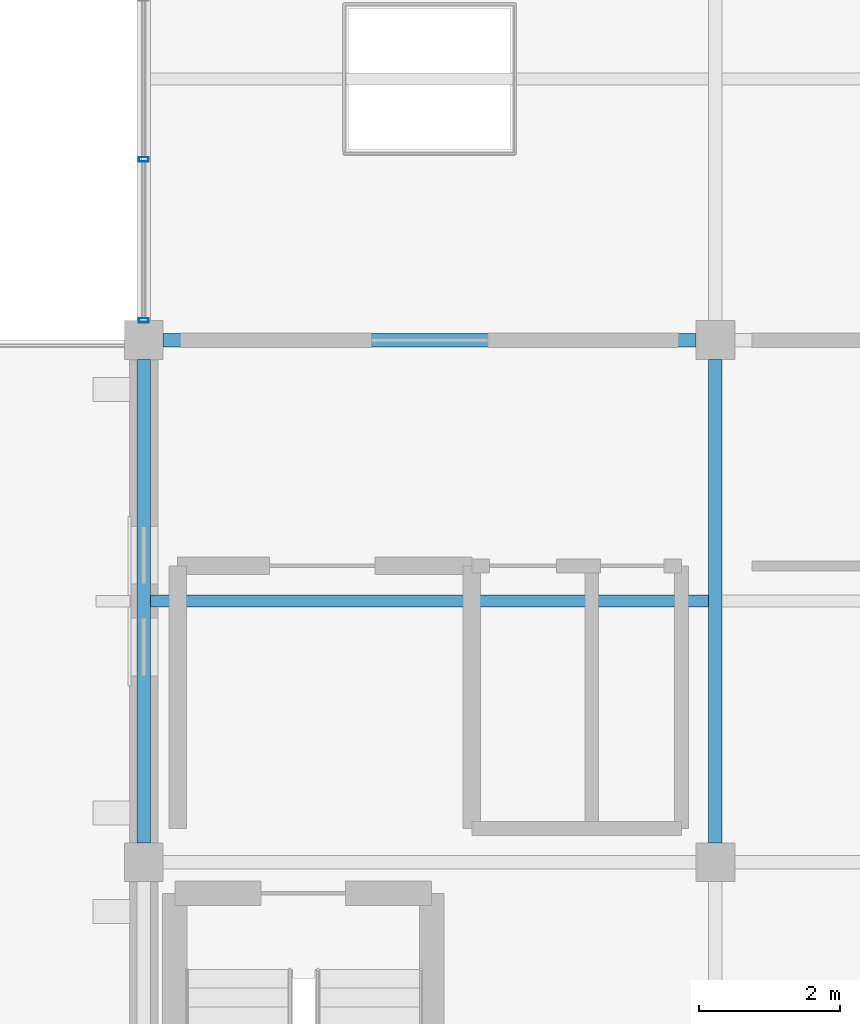
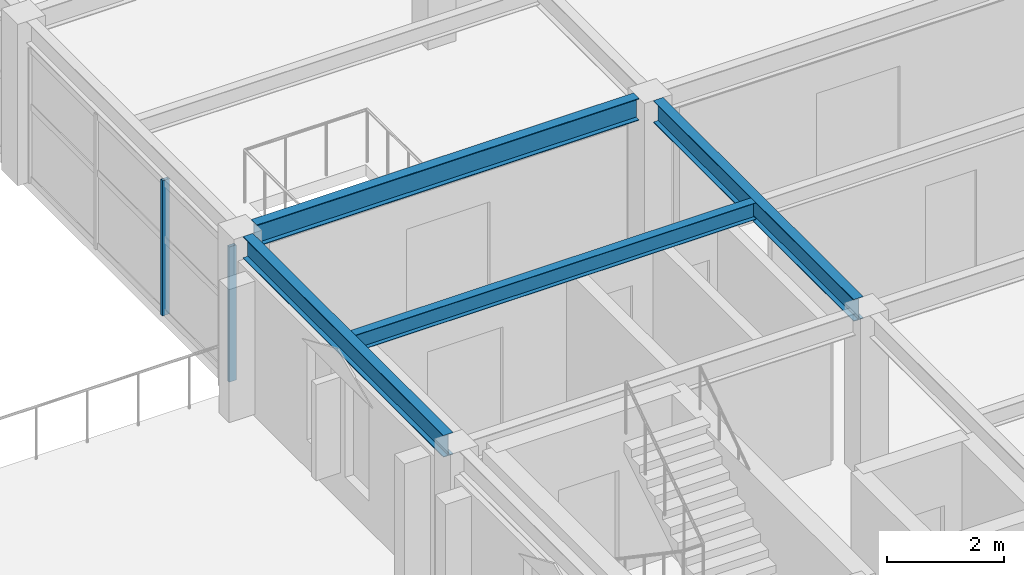
# One storey, part 31 of 121: 4 beams, 2 members, 1 element without a shape of its own.
"""IFC4 building model written with IfcOpenShell, lengths in metres."""

from ifc_helpers import new_model, si_unit, direction, frame, origin, origin_2d, place, context, subcontext, project, spatial, hollow_rectangle, i_section, extrude, material, material_profile, profile_set, type_object, element, aggregate, save


model = new_model("IFC4")

# Units and contexts
model_context = context("Model", 3, precision=1e-05, world=origin(), true_north=direction((0.0, 1.0)))
body_context = subcontext(model_context, "Body", "Model", "MODEL_VIEW")
ifc_project = project(units=[si_unit("LENGTHUNIT", "METRE"), si_unit("AREAUNIT", "SQUARE_METRE"), si_unit("VOLUMEUNIT", "CUBIC_METRE"), si_unit("PLANEANGLEUNIT", "RADIAN"), si_unit("MASSUNIT", "GRAM", prefix="KILO")], contexts=[model_context])

# Site, building, storey
site_placement = place(None, origin())
site = spatial("IfcSite", under=ifc_project, at=site_placement, CompositionType="ELEMENT")
building_placement = place(site_placement, origin())
building = spatial("IfcBuilding", under=site, at=building_placement, Name="Cimatlan Art Gallery", CompositionType="ELEMENT")
storey_placement = place(building_placement, frame((0.0, 0.0, 10.199951171875)))
storey = spatial("IfcBuildingStorey", under=building, at=storey_placement, Name="L02", CompositionType="ELEMENT", Elevation=10.199951171875)

# Beams
ifc_material_1 = material(Name="Steel ASTM A992 Grade 50", Category="steel")
ifc_material_profile_1 = material_profile(ifc_material_1, i_section(OverallWidth=0.1708984375, OverallDepth=0.35107421875, WebThickness=0.0068359375, FlangeThickness=0.009765625, at=origin_2d()), Name="W14X30")
ifc_profile_set_1 = profile_set([ifc_material_profile_1], Name="Steel ASTM A992 Grade 50")
beam_type_1 = type_object("IfcBeamType", Name="BM-STL-W14X30", PredefinedType="JOIST", material=ifc_profile_set_1)
beam_1_placement = place(storey_placement, frame((115.49560546875, 35.0, 3.194580078125), z_axis=(1.0, 0.0, 0.0), x_axis=(0.0, 1.0, 0.0)))
element("IfcBeam", 1, at=beam_1_placement, inside=storey, type_object=beam_type_1, Name="JST-L02-14-04", PredefinedType="JOIST", context=body_context, shape_type="SweptSolid", body=[
    extrude(i_section(OverallWidth=0.1708984375, OverallDepth=0.35107421875, WebThickness=0.0068359375, FlangeThickness=0.009765625, at=origin_2d()), origin(), (0.0, 0.0, 1.0), 7.908935546875),
])
ifc_material_profile_2 = material_profile(ifc_material_1, i_section(OverallWidth=0.19091796875, OverallDepth=0.45703125, WebThickness=0.009033203125, FlangeThickness=0.014404296875, at=origin_2d()), Name="W18X50")
ifc_profile_set_2 = profile_set([ifc_material_profile_2], Name="Steel ASTM A992 Grade 50")
beam_type_2 = type_object("IfcBeamType", Name="BM-STL-W18X50", PredefinedType="BEAM", material=ifc_profile_set_2)
for number, where, z_axis, x_axis, name in (
    (2, (115.39990234375, 31.574951171875, 3.1416015625), (0.0, 1.0, 0.0), (-1.0, 0.0, 0.0), "BM-Y-L02-14-04"),
    (3, (123.5, 31.574951171875, 3.1416015625), (0.0, 1.0, 0.0), (-1.0, 0.0, 0.0), "BM-Y-L02-15-04"),
):
    element("IfcBeam", number, at=place(storey_placement, frame(where, z_axis=z_axis, x_axis=x_axis)), inside=storey, type_object=beam_type_2, Name=name, PredefinedType="BEAM", context=body_context, shape_type="SweptSolid", body=[
        extrude(i_section(OverallWidth=0.19091796875, OverallDepth=0.45703125, WebThickness=0.009033203125, FlangeThickness=0.014404296875, at=origin_2d()), origin(), (0.0, 0.0, 1.0), 6.85009765625),
    ])
beam_2_placement = place(storey_placement, frame((115.675048828125, 38.699951171875, 3.1416015625), z_axis=(1.0, 0.0, 0.0), x_axis=(0.0, 1.0, 0.0)))
element("IfcBeam", 4, at=beam_2_placement, inside=storey, type_object=beam_type_2, Name="BM-X-L02-14-05", PredefinedType="BEAM", context=body_context, shape_type="SweptSolid", body=[
    extrude(i_section(OverallWidth=0.19091796875, OverallDepth=0.45703125, WebThickness=0.009033203125, FlangeThickness=0.014404296875, at=origin_2d()), origin(), (0.0, 0.0, 1.0), 7.550048828125),
])

# Curtain wall, members
ifc_material_2 = material(Name="Anodised bronze unitised curtain wall")
curtain_wall_type = type_object("IfcCurtainWallType", Name="CW-V-06842X02823-B3", PredefinedType="NOTDEFINED", material=ifc_material_2)
curtain_wall_placement = place(storey_placement, origin())
curtain_wall = element("IfcCurtainWall", 5, at=curtain_wall_placement, inside=storey, type_object=curtain_wall_type, Name="CW-L02-14-05-W", PredefinedType="NOTDEFINED")
ifc_material_3 = material(Name="Anodised bronze aluminium 6063-T6", Category="aluminium")
ifc_material_profile_3 = material_profile(ifc_material_3, hollow_rectangle(XDim=0.06494140625, YDim=0.139892578125, WallThickness=0.00390625, at=origin_2d()), Name="ALU65X140X4")
ifc_profile_set_3 = profile_set([ifc_material_profile_3], Name="Anodised bronze aluminium 6063-T6")
member_type = type_object("IfcMemberType", Name="CW-MUL-140", PredefinedType="MULLION", material=ifc_profile_set_3)
member_1_placement = place(storey_placement, frame((115.39990234375, 38.97900390625, 0.0), z_axis=(0.0, 0.0, 1.0), x_axis=(0.0, 1.0, 0.0)))
member_1 = element("IfcMember", 6, at=member_1_placement, type_object=member_type, Name="CW-L02-14-05-W-M1", PredefinedType="MULLION", context=body_context, shape_type="SweptSolid", body=[
    extrude(hollow_rectangle(XDim=0.06494140625, YDim=0.139892578125, WallThickness=0.00390625, at=origin_2d()), origin(), (0.0, 0.0, 1.0), 2.822998046875),
])
member_2_placement = place(storey_placement, frame((115.39990234375, 41.259765625, 0.0), z_axis=(0.0, 0.0, 1.0), x_axis=(0.0, 1.0, 0.0)))
member_2 = element("IfcMember", 7, at=member_2_placement, type_object=member_type, Name="CW-L02-14-05-W-M2", PredefinedType="MULLION", context=body_context, shape_type="SweptSolid", body=[
    extrude(hollow_rectangle(XDim=0.06494140625, YDim=0.139892578125, WallThickness=0.00390625, at=origin_2d()), origin(), (0.0, 0.0, 1.0), 2.822998046875),
])
aggregate(curtain_wall, [member_1, member_2])

save(model, "model.ifc")
